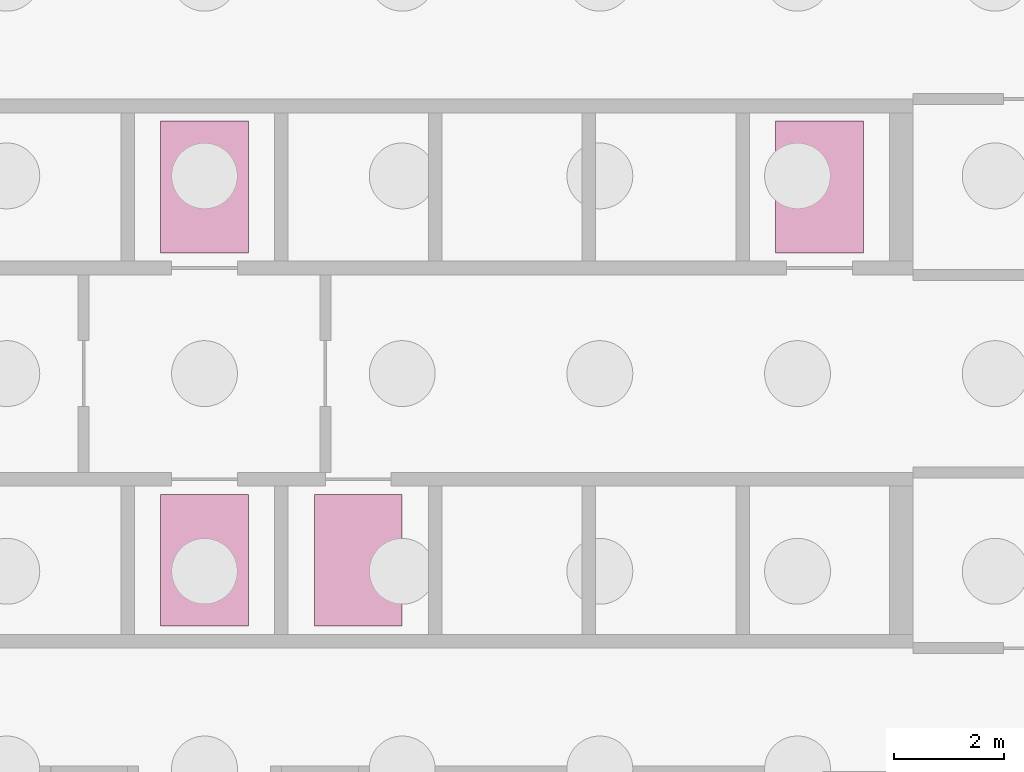
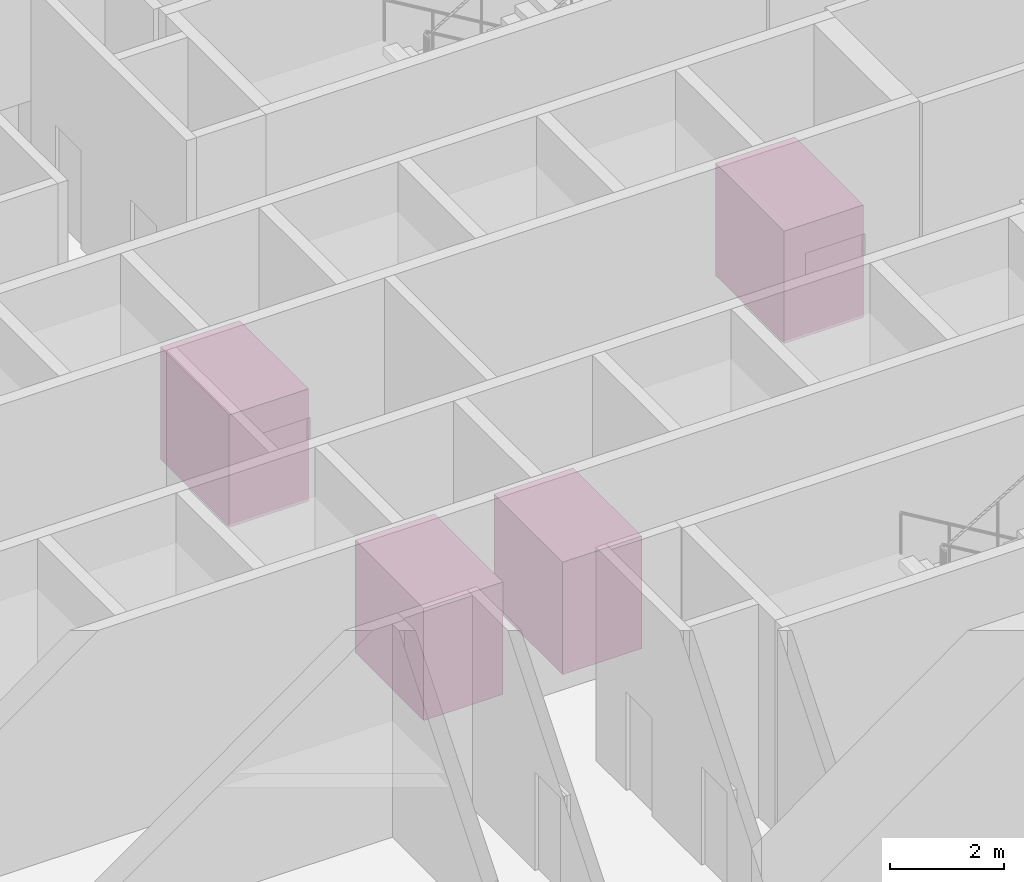
# One storey, part 9 of 9: 4 transport elements.
"""IFC4 building model written with IfcOpenShell, lengths in metres."""

import ifcopenshell
import ifcopenshell.guid

model = None  # the IFC model being written
_history = None  # IfcOwnerHistory: only IFC2X3 demands one
_inside = {}  # id of a spatial element -> (the spatial element, [elements in it])
_under = {}  # id of a project, library or spatial element -> (it, [spatial elements below it])
_declared = {}  # id of a project -> (the project, [libraries it declares])
_typed = {}  # id of a type object -> (the type object, [elements of that type])
_made_of = {}  # id of a material, layer set ... -> (it, [elements and type objects made of it])


def new_model(schema):
    """Start an empty IFC model of exactly this schema.

    Asked for "IFC4X3", IfcOpenShell would pick the latest addendum, in which some entities
    have other attributes; the version numbers below select the first issue.
    IFC2X3 requires an IfcOwnerHistory on every rooted entity: one is made here for all.
    """
    global model, _history
    if schema == "IFC4X3":
        model = ifcopenshell.file(schema_version=(4, 3, 0, 0))
    else:
        model = ifcopenshell.file(schema=schema)
    _inside.clear()
    _under.clear()
    _declared.clear()
    _typed.clear()
    _made_of.clear()
    _history = None
    if model.schema == "IFC2X3":
        org = make("IfcOrganization", Name="unknown")
        user = make(
            "IfcPersonAndOrganization",
            ThePerson=make("IfcPerson", FamilyName="unknown"),
            TheOrganization=org,
        )
        app = make(
            "IfcApplication",
            ApplicationDeveloper=org,
            Version="unknown",
            ApplicationFullName="unknown",
            ApplicationIdentifier="unknown",
        )
        _history = make(
            "IfcOwnerHistory",
            OwningUser=user,
            OwningApplication=app,
            ChangeAction="ADDED",
            CreationDate=0,
        )
    return model


def make(cls, **values):
    """One entity of the class cls with the attributes given. An attribute that is None is left unset."""
    return model.create_entity(
        cls, **{name: value for name, value in values.items() if value is not None}
    )


def rooted(cls, **values):
    """An entity with a GlobalId (a new one), such as an element, a storey or a relation."""
    return make(cls, GlobalId=ifcopenshell.guid.new(), OwnerHistory=_history, **values)


def si_unit(unit_type, name, prefix=None):
    """IfcSIUnit, for example si_unit("LENGTHUNIT", "METRE", prefix="MILLI")."""
    return make("IfcSIUnit", UnitType=unit_type, Prefix=prefix, Name=name)


def assignment(units):
    """IfcUnitAssignment: the units of a project."""
    return None if units is None else make("IfcUnitAssignment", Units=units)


def point(xyz):
    """IfcCartesianPoint."""
    return None if xyz is None else make("IfcCartesianPoint", Coordinates=xyz)


def direction(xyz):
    """IfcDirection."""
    return None if xyz is None else make("IfcDirection", DirectionRatios=xyz)


def frame(location, z_axis=None, x_axis=None):
    """IfcAxis2Placement3D, a coordinate frame: its origin and axes. An axis left out is left unset."""
    return make(
        "IfcAxis2Placement3D",
        Location=point(location),
        Axis=direction(z_axis),
        RefDirection=direction(x_axis),
    )


def frame_2d(location, x_axis=None):
    """IfcAxis2Placement2D, a coordinate frame in the plane: its origin and x axis."""
    return make(
        "IfcAxis2Placement2D", Location=point(location), RefDirection=direction(x_axis)
    )


def origin():
    """The frame at (0, 0, 0) with its axes left unset."""
    return frame((0.0, 0.0, 0.0))


def origin_2d():
    """The frame at (0, 0) in the plane with its x axis left unset."""
    return frame_2d((0.0, 0.0))


def place(relative_to, where):
    """IfcLocalPlacement: puts the frame where relative to a parent placement (None: the world)."""
    return make(
        "IfcLocalPlacement", PlacementRelTo=relative_to, RelativePlacement=where
    )


def context(
    kind, dimensions, precision=None, world=None, true_north=None, identifier=None
):
    """IfcGeometricRepresentationContext, for example the 3D "Model" context."""
    return make(
        "IfcGeometricRepresentationContext",
        ContextIdentifier=identifier,
        ContextType=kind,
        CoordinateSpaceDimension=dimensions,
        Precision=precision,
        WorldCoordinateSystem=world,
        TrueNorth=true_north,
    )


def subcontext(parent, identifier, kind, view, scale=None):
    """IfcGeometricRepresentationSubContext, for example "Body" below "Model"."""
    return make(
        "IfcGeometricRepresentationSubContext",
        ContextIdentifier=identifier,
        ContextType=kind,
        ParentContext=parent,
        TargetScale=scale,
        TargetView=view,
    )


def project(units=None, contexts=None):
    """IfcProject with its units and contexts."""
    return rooted(
        "IfcProject",
        Name="project",
        RepresentationContexts=contexts,
        UnitsInContext=assignment(units),
    )


def spatial(cls, under=None, at=None, **own):
    """A site, building, storey or space (cls), placed at a placement, below another one or the project."""
    s = rooted(cls, ObjectPlacement=at, **own)
    if under is not None:
        _under.setdefault(under.id(), (under, []))[1].append(s)
    return s


def profile(cls, at=None, kind="AREA", **sizes):
    """A parametric profile (cls). Its sizes go by their IFC names, for example OverallWidth=200.0."""
    return make(cls, ProfileType=kind, Position=at, **sizes)


def rectangle(**sizes):
    """IfcRectangleProfileDef."""
    return profile("IfcRectangleProfileDef", **sizes)


def extrude(swept, where, along, depth):
    """IfcExtrudedAreaSolid: the profile swept, set in the frame where, extruded along a direction by depth."""
    return make(
        "IfcExtrudedAreaSolid",
        SweptArea=swept,
        Position=where,
        ExtrudedDirection=direction(along),
        Depth=depth,
    )


def shape(context_of_items, identifier, shape_type, items):
    """IfcShapeRepresentation: the items that make up one representation, for example the "Body"."""
    return make(
        "IfcShapeRepresentation",
        ContextOfItems=context_of_items,
        RepresentationIdentifier=identifier,
        RepresentationType=shape_type,
        Items=items,
    )


def material(Name=None, Category=None):
    """IfcMaterial."""
    return make("IfcMaterial", Name=Name, Category=Category)


def made_of(thing, what):
    """Note that an element or type object is made of a material, layer set ...; save() writes the relation."""
    if what is not None:
        _made_of.setdefault(what.id(), (what, []))[1].append(thing)
    return thing


def type_object(cls, material=None, **own):
    """A type object (cls), such as IfcWallType, which elements share."""
    return made_of(rooted(cls, **own), material)


def element(
    cls,
    number,
    at=None,
    inside=None,
    cuts=None,
    type_object=None,
    material=None,
    context=None,
    identifier="Body",
    shape_type=None,
    held_by="IfcProductDefinitionShape",
    body=None,
    shapes=None,
    **own,
):
    """One element of the class cls, such as IfcWall. Its Tag is "e" and its number.

    at: its placement. inside: the storey or other place that contains it. cuts: it is an
    opening in that element (IfcRelVoidsElement). A single representation is given by context,
    identifier, shape_type and body (its items); several are given by shapes. held_by: the class
    of the entity that holds the representations. save() writes the other relations.
    """
    e = rooted(cls, Tag="e%d" % number, ObjectPlacement=at, **own)
    if body is not None:
        shapes = [shape(context, identifier, shape_type, body)]
    if shapes is not None:
        e.Representation = make(held_by, Representations=shapes)
    if inside is not None:
        _inside.setdefault(inside.id(), (inside, []))[1].append(e)
    if cuts is not None:
        rooted(
            "IfcRelVoidsElement", RelatingBuildingElement=cuts, RelatedOpeningElement=e
        )
    if type_object is not None:
        _typed.setdefault(type_object.id(), (type_object, []))[1].append(e)
    return made_of(e, material)


def aggregate(whole, parts):
    """IfcRelAggregates: a whole, such as a stair, and the parts it consists of."""
    return rooted("IfcRelAggregates", RelatingObject=whole, RelatedObjects=parts)


def save(model, path):
    """Write the relations noted so far, then the file.

    IfcRelAggregates (storeys below a building ...), IfcRelContainedInSpatialStructure (elements
    in a storey), IfcRelDefinesByType, IfcRelAssociatesMaterial and IfcRelDeclares: one each for
    every whole, place, type object, material and project.
    """
    for whole, parts in _under.values():
        aggregate(whole, parts)
    for where, things in _inside.values():
        rooted(
            "IfcRelContainedInSpatialStructure",
            RelatedElements=things,
            RelatingStructure=where,
        )
    for kind, things in _typed.values():
        rooted("IfcRelDefinesByType", RelatedObjects=things, RelatingType=kind)
    for what, things in _made_of.values():
        rooted("IfcRelAssociatesMaterial", RelatedObjects=things, RelatingMaterial=what)
    for by, libraries in _declared.values():
        rooted("IfcRelDeclares", RelatingContext=by, RelatedDefinitions=libraries)
    model.write(path)


model = new_model("IFC4")

# Units and contexts
model_context = context("Model", 3, precision=1e-05, world=origin(), true_north=direction((0.0, 1.0)))
body_context = subcontext(model_context, "Body", "Model", "MODEL_VIEW")
ifc_project = project(units=[si_unit("LENGTHUNIT", "METRE"), si_unit("AREAUNIT", "SQUARE_METRE"), si_unit("VOLUMEUNIT", "CUBIC_METRE"), si_unit("PLANEANGLEUNIT", "RADIAN"), si_unit("MASSUNIT", "GRAM", prefix="KILO")], contexts=[model_context])

# Site, building, storey
site_placement = place(None, origin())
site = spatial("IfcSite", under=ifc_project, at=site_placement, CompositionType="ELEMENT")
building_placement = place(site_placement, origin())
building = spatial("IfcBuilding", under=site, at=building_placement, Name="Dhurran Vertical Campus", CompositionType="ELEMENT")
storey_placement = place(building_placement, frame((0.0, 0.0, -5.0)))
storey = spatial("IfcBuildingStorey", under=building, at=storey_placement, Name="B1", CompositionType="ELEMENT", Elevation=-5.0)

# Transport elements
ifc_material_1 = material(Name="Lift car, brushed stainless panels")
transport_element_type_1 = type_object("IfcTransportElementType", Name="co-LIFT-FIREFIGHTING", PredefinedType="ELEVATOR", material=ifc_material_1)
for number, where, z_axis, x_axis, name in (
    (1, (0.0, 3.39990234375, 0.0), (0.0, 0.0, 1.0), (1.0, 0.0, 0.0), "Firefighting lift FF1"),
    (2, (0.0, -3.39990234375, 0.0), (0.0, 0.0, 1.0), (1.0, 0.0, 0.0), "Firefighting lift FF2"),
):
    element("IfcTransportElement", number, at=place(storey_placement, frame(where, z_axis=z_axis, x_axis=x_axis)), inside=storey, type_object=transport_element_type_1, Name=name, PredefinedType="ELEVATOR", context=body_context, shape_type="SweptSolid", body=[
        extrude(rectangle(XDim=1.60009765625, YDim=2.39990234375, at=origin_2d()), origin(), (0.0, 0.0, 1.0), 2.39990234375),
    ])
ifc_material_2 = material(Name="Lift car, brushed stainless panels")
transport_element_type_2 = type_object("IfcTransportElementType", Name="co-LIFT-SERVICE", PredefinedType="ELEVATOR", material=ifc_material_2)
for number, where, z_axis, x_axis, name in (
    (3, (11.199951171875, 3.39990234375, 0.0), (0.0, 0.0, 1.0), (1.0, 0.0, 0.0), "Service lift SV2"),
    (4, (2.800048828125, -3.39990234375, 0.0), (0.0, 0.0, 1.0), (1.0, 0.0, 0.0), "Service lift SV1"),
):
    element("IfcTransportElement", number, at=place(storey_placement, frame(where, z_axis=z_axis, x_axis=x_axis)), inside=storey, type_object=transport_element_type_2, Name=name, PredefinedType="ELEVATOR", context=body_context, shape_type="SweptSolid", body=[
        extrude(rectangle(XDim=1.60009765625, YDim=2.39990234375, at=origin_2d()), origin(), (0.0, 0.0, 1.0), 2.39990234375),
    ])

save(model, "model.ifc")
